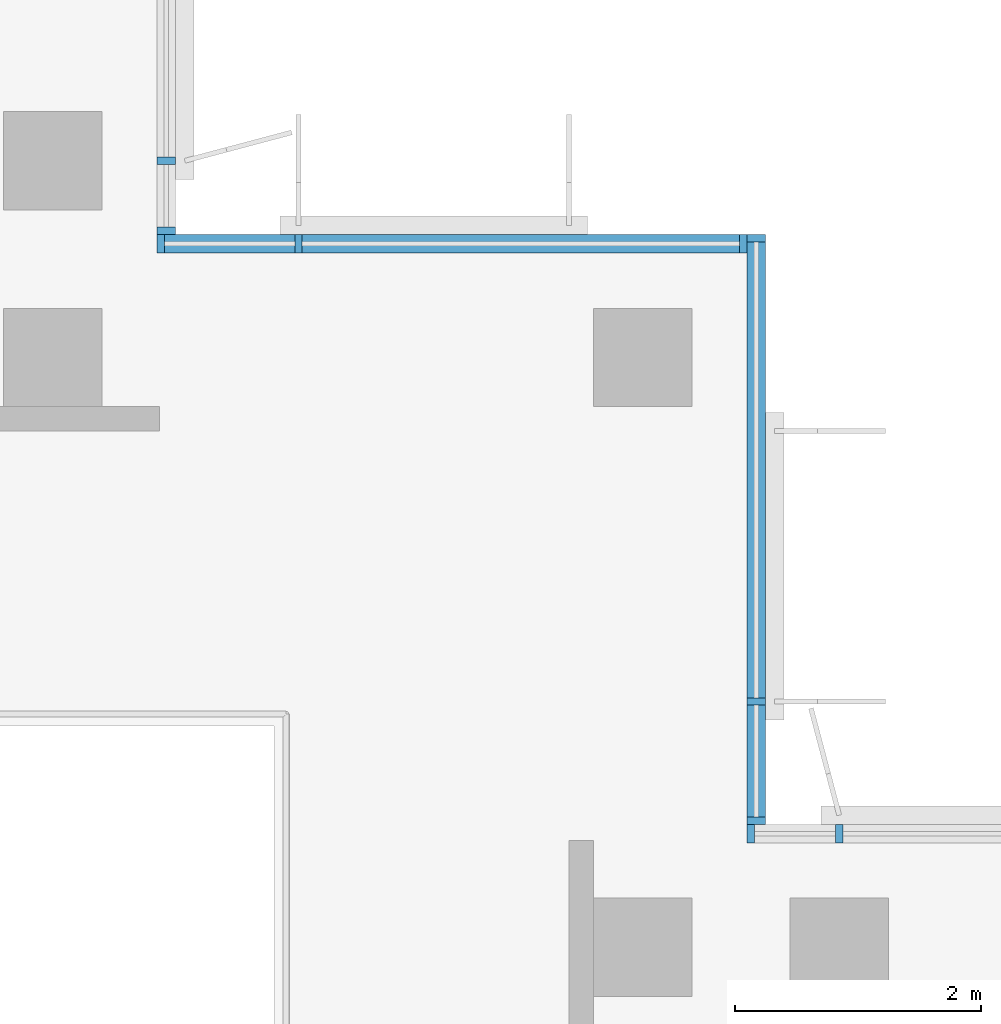
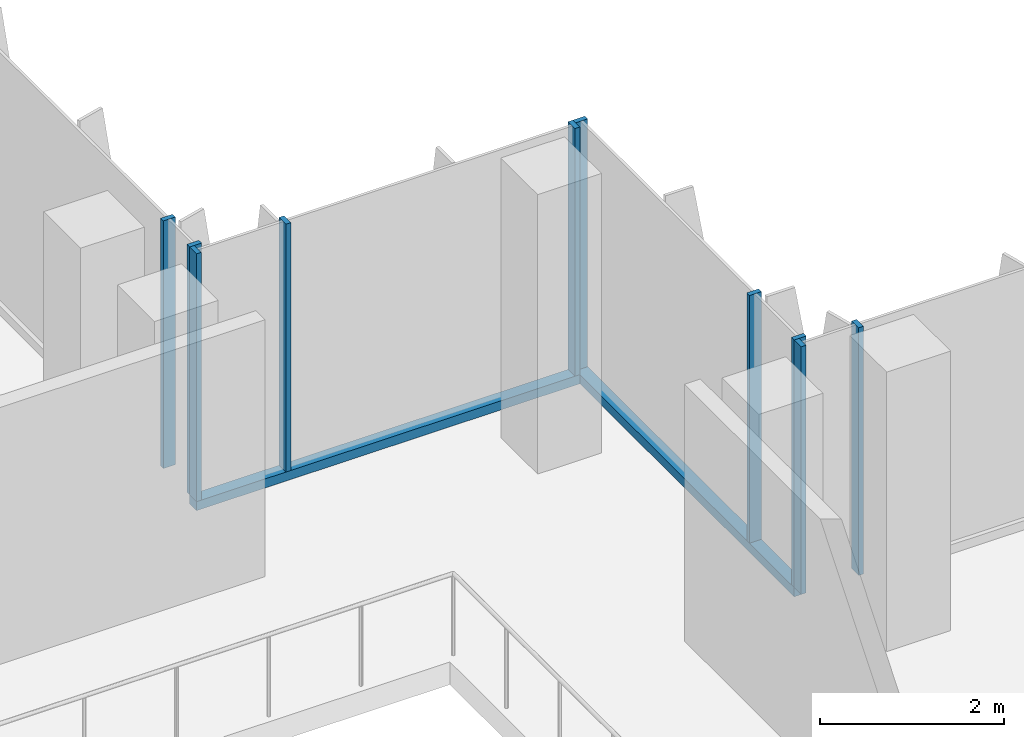
# One storey, part 2 of 15: 12 members, 4 elements without a shape of their own.
"""IFC4 building model written with IfcOpenShell, lengths in metres."""

from ifc_helpers import new_model, si_unit, direction, frame, origin, origin_2d, place, context, subcontext, project, spatial, rectangle, extrude, source, transform, mapped, material, material_profile, profile_set, type_object, element, aggregate, save


model = new_model("IFC4")

# Units and contexts
model_context = context("Model", 3, precision=1e-05, world=origin(), true_north=direction((0.0, 1.0)))
body_context = subcontext(model_context, "Body", "Model", "MODEL_VIEW")
ifc_project = project(units=[si_unit("LENGTHUNIT", "METRE"), si_unit("AREAUNIT", "SQUARE_METRE"), si_unit("VOLUMEUNIT", "CUBIC_METRE"), si_unit("PLANEANGLEUNIT", "RADIAN"), si_unit("MASSUNIT", "GRAM", prefix="KILO")], contexts=[model_context])

# Site, building, storey
site_placement = place(None, origin())
site = spatial("IfcSite", under=ifc_project, at=site_placement, CompositionType="ELEMENT")
building_placement = place(site_placement, origin())
building = spatial("IfcBuilding", under=site, at=building_placement, Name="Kemantara Hotel Tower", CompositionType="ELEMENT")
storey_placement = place(building_placement, frame((0.0, 0.0, 261.10009765625)))
storey = spatial("IfcBuildingStorey", under=building, at=storey_placement, Name="L65", CompositionType="ELEMENT", Elevation=261.10009765625)

# Curtain wall, member
ifc_material_1 = material(Name="Low-E tinted double insulated glass 36 mm", Category="glass")
curtain_wall_type = type_object("IfcCurtainWallType", Name="TOWER CURTAIN WALL, FRONT FACES", PredefinedType="USERDEFINED", material=ifc_material_1)
curtain_wall_1_placement = place(storey_placement, origin())
curtain_wall_1 = element("IfcCurtainWall", 1, at=curtain_wall_1_placement, inside=storey, type_object=curtain_wall_type, Name="CW4 L65 T4-R13-1", ObjectType="TOWER CURTAIN WALL, FRONT FACES", PredefinedType="USERDEFINED")
ifc_material_2 = material(Name="Aluminium 6063-T6 bronze anodised", Category="aluminium")
ifc_material_profile_1 = material_profile(ifc_material_2, rectangle(XDim=0.14990234375, YDim=0.1201171875, at=origin_2d()), Name="TOWER CURTAIN WALL, FRONT FACES TRANSOM")
ifc_profile_set_1 = profile_set([ifc_material_profile_1], Name="Aluminium 6063-T6 bronze anodised")
member_type_1 = type_object("IfcMemberType", Name="TOWER CURTAIN WALL, FRONT FACES TRANSOM", PredefinedType="USERDEFINED", material=ifc_profile_set_1)
member_1_placement = place(storey_placement, frame((26.72509765625, 22.0, 0.059814453125), z_axis=(0.0, 1.0, 0.0), x_axis=(-1.0, 0.0, 0.0)))
member_1 = element("IfcMember", 2, at=member_1_placement, type_object=member_type_1, Name="CW4 sill transom T4-R13-1", ObjectType="TRANSOM", PredefinedType="USERDEFINED", context=body_context, shape_type="SweptSolid", body=[
    extrude(rectangle(XDim=0.14990234375, YDim=0.1201171875, at=origin_2d()), origin(), (0.0, 0.0, 1.0), 4.800048828125),
])

curtain_wall_2_placement = place(storey_placement, origin())
curtain_wall_2 = element("IfcCurtainWall", 3, at=curtain_wall_2_placement, inside=storey, type_object=curtain_wall_type, Name="CW4 L65 T4-R14-1", ObjectType="TOWER CURTAIN WALL, FRONT FACES", PredefinedType="USERDEFINED")
member_2_placement = place(storey_placement, frame((26.64990234375, 26.72509765625, 0.059814453125), z_axis=(-1.0, 0.0, 0.0), x_axis=(0.0, -1.0, 0.0)))
member_2 = element("IfcMember", 4, at=member_2_placement, type_object=member_type_1, Name="CW4 sill transom T4-R14-1", ObjectType="TRANSOM", PredefinedType="USERDEFINED", context=body_context, shape_type="SweptSolid", body=[
    extrude(rectangle(XDim=0.14990234375, YDim=0.1201171875, at=origin_2d()), origin(), (0.0, 0.0, 1.0), 4.7998046875),
])

# Curtain wall, members
curtain_wall_3_placement = place(storey_placement, origin())
curtain_wall_3 = element("IfcCurtainWall", 5, at=curtain_wall_3_placement, inside=storey, type_object=curtain_wall_type, Name="CW4 L65 T4-R12-1", ObjectType="TOWER CURTAIN WALL, FRONT FACES", PredefinedType="USERDEFINED")
ifc_material_profile_2 = material_profile(ifc_material_2, rectangle(XDim=0.14990234375, YDim=0.06005859375, at=origin_2d()), Name="TOWER CURTAIN WALL, FRONT FACES MULLION")
ifc_profile_set_2 = profile_set([ifc_material_profile_2], Name="Aluminium 6063-T6 bronze anodised")
member_type_2 = type_object("IfcMemberType", Name="TOWER CURTAIN WALL, FRONT FACES MULLION", PredefinedType="MULLION", material=ifc_profile_set_2)
shared_shape = source(origin(), body_context, "Body", "SweptSolid", [
    extrude(rectangle(XDim=0.14990234375, YDim=0.06005859375, at=origin_2d()), origin(), (0.0, 0.0, 1.0), 3.280029296875),
])
member_3_placement = place(storey_placement, frame((27.39990234375, 21.925048828125, 0.119873046875), z_axis=(0.0, 0.0, 1.0), x_axis=(0.0, -1.0, 0.0)))
member_3 = element("IfcMember", 6, at=member_3_placement, type_object=member_type_2, Name="CW4 mullion T4-R12-1.5", PredefinedType="MULLION", context=body_context, shape_type="MappedRepresentation", body=[
    mapped(shared_shape, transform((0.0, 0.0, 0.0))),
])
member_4_placement = place(storey_placement, frame((26.679931640625, 21.925048828125, 0.119873046875), z_axis=(0.0, 0.0, 1.0), x_axis=(0.0, -1.0, 0.0)))
member_4 = element("IfcMember", 7, at=member_4_placement, type_object=member_type_2, Name="CW4 mullion T4-R12-1.6", PredefinedType="MULLION", context=body_context, shape_type="MappedRepresentation", body=[
    mapped(shared_shape, transform((0.0, 0.0, 0.0))),
])
aggregate(curtain_wall_3, [member_3, member_4])

# Member
member_5_placement = place(storey_placement, frame((26.72509765625, 22.030029296875, 0.119873046875), z_axis=(0.0, 0.0, 1.0), x_axis=(-1.0, 0.0, 0.0)))
member_5 = element("IfcMember", 8, at=member_5_placement, type_object=member_type_2, Name="CW4 mullion T4-R13-1.1", PredefinedType="MULLION", context=body_context, shape_type="MappedRepresentation", body=[
    mapped(shared_shape, transform((0.0, 0.0, 0.0))),
])

member_6_placement = place(storey_placement, frame((26.72509765625, 23.0, 0.119873046875), z_axis=(0.0, 0.0, 1.0), x_axis=(-1.0, 0.0, 0.0)))
member_6 = element("IfcMember", 9, at=member_6_placement, type_object=member_type_2, Name="CW4 mullion T4-R13-1.2", PredefinedType="MULLION", context=body_context, shape_type="MappedRepresentation", body=[
    mapped(shared_shape, transform((0.0, 0.0, 0.0))),
])

member_7_placement = place(storey_placement, frame((26.72509765625, 26.77001953125, 0.119873046875), z_axis=(0.0, 0.0, 1.0), x_axis=(-1.0, 0.0, 0.0)))
member_7 = element("IfcMember", 10, at=member_7_placement, type_object=member_type_2, Name="CW4 mullion T4-R13-1.3", PredefinedType="MULLION", context=body_context, shape_type="MappedRepresentation", body=[
    mapped(shared_shape, transform((0.0, 0.0, 0.0))),
])

aggregate(curtain_wall_1, [member_1, member_5, member_6, member_7])

member_8_placement = place(storey_placement, frame((26.6201171875, 26.72509765625, 0.119873046875), z_axis=(0.0, 0.0, 1.0), x_axis=(0.0, -1.0, 0.0)))
member_8 = element("IfcMember", 11, at=member_8_placement, type_object=member_type_2, Name="CW4 mullion T4-R14-1.1", PredefinedType="MULLION", context=body_context, shape_type="MappedRepresentation", body=[
    mapped(shared_shape, transform((0.0, 0.0, 0.0))),
])

member_9_placement = place(storey_placement, frame((23.0, 26.72509765625, 0.119873046875), z_axis=(0.0, 0.0, 1.0), x_axis=(0.0, -1.0, 0.0)))
member_9 = element("IfcMember", 12, at=member_9_placement, type_object=member_type_2, Name="CW4 mullion T4-R14-1.2", PredefinedType="MULLION", context=body_context, shape_type="MappedRepresentation", body=[
    mapped(shared_shape, transform((0.0, 0.0, 0.0))),
])

member_10_placement = place(storey_placement, frame((21.8798828125, 26.72509765625, 0.119873046875), z_axis=(0.0, 0.0, 1.0), x_axis=(0.0, -1.0, 0.0)))
member_10 = element("IfcMember", 13, at=member_10_placement, type_object=member_type_2, Name="CW4 mullion T4-R14-1.3", PredefinedType="MULLION", context=body_context, shape_type="MappedRepresentation", body=[
    mapped(shared_shape, transform((0.0, 0.0, 0.0))),
])

aggregate(curtain_wall_2, [member_2, member_8, member_9, member_10])

# Curtain wall, members
curtain_wall_4_placement = place(storey_placement, origin())
curtain_wall_4 = element("IfcCurtainWall", 14, at=curtain_wall_4_placement, inside=storey, type_object=curtain_wall_type, Name="CW4 L65 T4-R15-1", ObjectType="TOWER CURTAIN WALL, FRONT FACES", PredefinedType="USERDEFINED")
member_11_placement = place(storey_placement, frame((21.925048828125, 26.830078125, 0.119873046875), z_axis=(0.0, 0.0, 1.0), x_axis=(-1.0, 0.0, 0.0)))
member_11 = element("IfcMember", 15, at=member_11_placement, type_object=member_type_2, Name="CW4 mullion T4-R15-1.1", PredefinedType="MULLION", context=body_context, shape_type="MappedRepresentation", body=[
    mapped(shared_shape, transform((0.0, 0.0, 0.0))),
])
member_12_placement = place(storey_placement, frame((21.925048828125, 27.39990234375, 0.119873046875), z_axis=(0.0, 0.0, 1.0), x_axis=(-1.0, 0.0, 0.0)))
member_12 = element("IfcMember", 16, at=member_12_placement, type_object=member_type_2, Name="CW4 mullion T4-R15-1.2", PredefinedType="MULLION", context=body_context, shape_type="MappedRepresentation", body=[
    mapped(shared_shape, transform((0.0, 0.0, 0.0))),
])
aggregate(curtain_wall_4, [member_11, member_12])

save(model, "model.ifc")
